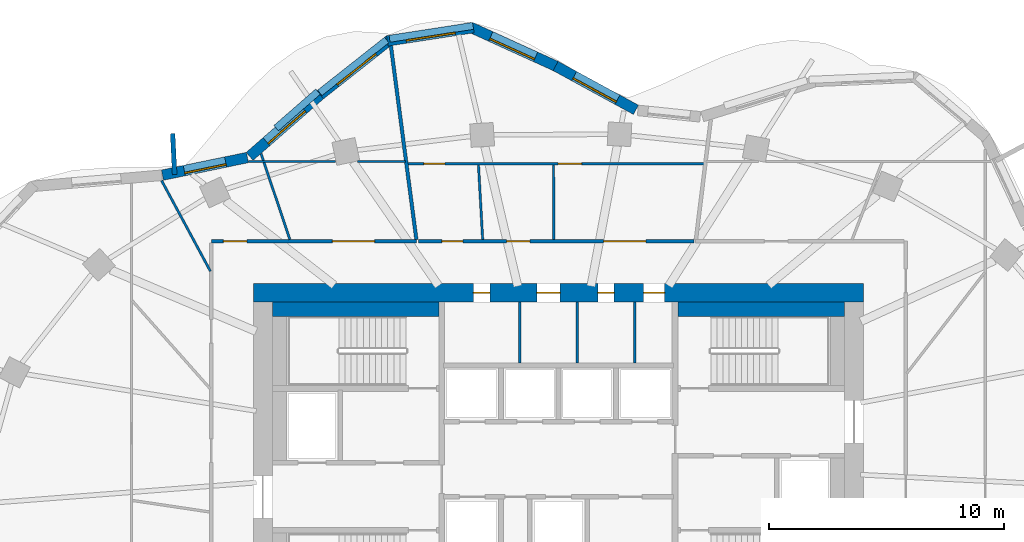
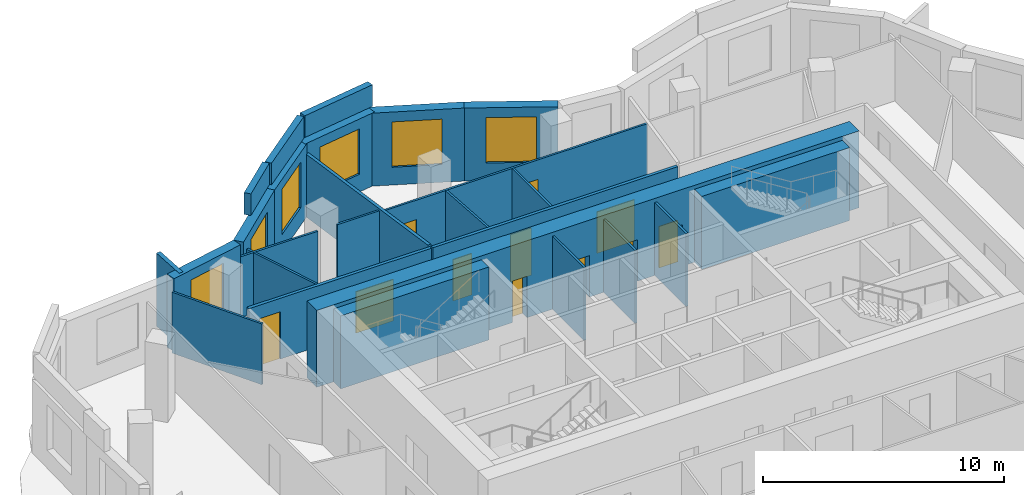
# One storey, part 7 of 9: 26 walls, 11 doors, 6 windows, 17 openings.
"""IFC4 building model written with IfcOpenShell, lengths in metres."""

from ifc_helpers import new_model, si_unit, direction, frame, frame_2d, origin, place, context, subcontext, project, spatial, rectangle, extrude, material, layer, layer_set, type_object, element, fill, save


model = new_model("IFC4")

# Units and contexts
model_context = context("Model", 3, precision=1e-05, world=origin(), true_north=direction((0.0, 1.0)))
body_context = subcontext(model_context, "Body", "Model", "MODEL_VIEW")
ifc_project = project(units=[si_unit("LENGTHUNIT", "METRE"), si_unit("AREAUNIT", "SQUARE_METRE"), si_unit("VOLUMEUNIT", "CUBIC_METRE"), si_unit("PLANEANGLEUNIT", "RADIAN"), si_unit("MASSUNIT", "GRAM", prefix="KILO")], contexts=[model_context])

# Site, building, storey
site_placement = place(None, origin())
site = spatial("IfcSite", under=ifc_project, at=site_placement, CompositionType="ELEMENT")
building_placement = place(site_placement, origin())
building = spatial("IfcBuilding", under=site, at=building_placement, Name="Rubra Terraces Tower", CompositionType="ELEMENT")
storey_placement = place(building_placement, frame((0.0, 0.0, 225.300048828125)))
storey = spatial("IfcBuildingStorey", under=building, at=storey_placement, Name="L55", CompositionType="ELEMENT", Elevation=225.300048828125)

# Wall, opening, window
ifc_material_1 = material(Name="Brick masonry red-brown", Category="masonry")
ifc_layer_1 = layer(ifc_material_1, 0.449951171875)
ifc_layer_set_1 = layer_set([ifc_layer_1], Name="Brick masonry red-brown")
wall_type_1 = type_object("IfcWallType", Name="Brick facade wall 450", PredefinedType="SOLIDWALL", material=ifc_layer_set_1)
wall_1_placement = place(storey_placement, frame((3.302001953125, 19.40087890625, 0.0), z_axis=(0.0, 0.0, 1.0), x_axis=(-0.878060540763, 0.47854956562, 0.0)))
wall_1 = element("IfcWall", 1, at=wall_1_placement, inside=storey, type_object=wall_type_1, Name="Facade wall L55 bay 10", PredefinedType="SOLIDWALL", context=body_context, shape_type="SweptSolid", body=[
    extrude(rectangle(XDim=3.9013671875, YDim=0.449951171875, at=frame_2d((1.95068359375, 0.0))), origin(), (0.0, 0.0, 1.0), 3.699951171875),
])
opening_1_placement = place(wall_1_placement, frame((0.900634765625, 0.0, 0.89990234375)))
opening_1 = element("IfcOpeningElement", 2, at=opening_1_placement, cuts=wall_1, Name="Opening W1B", PredefinedType="OPENING", context=body_context, shape_type="SweptSolid", body=[
    extrude(rectangle(XDim=2.10009765625, YDim=2.300048828125, at=frame_2d((1.050048828125, 1.14990234375))), frame((0.0, 0.23486328125, 0.0), z_axis=(0.0, -1.0, 0.0), x_axis=(1.0, 0.0, 0.0)), (0.0, 0.0, 1.0), 0.469970703125),
])
ifc_material_2 = material(Name="Clear glass in aluminium frame", Category="aluminium")
window_type_1 = type_object("IfcWindowType", Name="Fixed deep-set window tall storey 2100 x 2300", PartitioningType="SINGLE_PANEL", PredefinedType="WINDOW", material=ifc_material_2)
window_1_placement = place(opening_1_placement, origin())
window_1 = element("IfcWindow", 3, at=window_1_placement, inside=storey, type_object=window_type_1, Name="Window L55 bay 10", OverallHeight=2.300048828125, OverallWidth=2.10009765625, PartitioningType="SINGLE_PANEL", PredefinedType="WINDOW", context=body_context, shape_type="SweptSolid", body=[
    extrude(rectangle(XDim=2.10009765625, YDim=2.300048828125, at=frame_2d((1.050048828125, 1.14990234375))), frame((0.0, 0.135009765625, 0.0), z_axis=(0.0, -1.0, 0.0), x_axis=(1.0, 0.0, 0.0)), (0.0, 0.0, 1.0), 0.06005859375),
])
fill(opening_1, window_1)

wall_2_placement = place(storey_placement, frame((-0.109130859375, 21.260986328125, 0.0), z_axis=(0.0, 0.0, 1.0), x_axis=(-0.910040573706, 0.414519184367, 0.0)))
wall_2 = element("IfcWall", 4, at=wall_2_placement, inside=storey, type_object=wall_type_1, Name="Facade wall L55 bay 11", PredefinedType="SOLIDWALL", context=body_context, shape_type="SweptSolid", body=[
    extrude(rectangle(XDim=4.005615234375, YDim=0.449951171875, at=frame_2d((2.0029296875, 0.0))), origin(), (0.0, 0.0, 1.0), 3.699951171875),
])
opening_2_placement = place(wall_2_placement, frame((0.952880859375, 0.0, 0.89990234375)))
opening_2 = element("IfcOpeningElement", 5, at=opening_2_placement, cuts=wall_2, Name="Opening W1B", PredefinedType="OPENING", context=body_context, shape_type="SweptSolid", body=[
    extrude(rectangle(XDim=2.10009765625, YDim=2.300048828125, at=frame_2d((1.050048828125, 1.14990234375))), frame((0.0, 0.23486328125, 0.0), z_axis=(0.0, -1.0, 0.0), x_axis=(1.0, 0.0, 0.0)), (0.0, 0.0, 1.0), 0.469970703125),
])
window_2_placement = place(opening_2_placement, origin())
window_2 = element("IfcWindow", 6, at=window_2_placement, inside=storey, type_object=window_type_1, Name="Window L55 bay 11", OverallHeight=2.300048828125, OverallWidth=2.10009765625, PartitioningType="SINGLE_PANEL", PredefinedType="WINDOW", context=body_context, shape_type="SweptSolid", body=[
    extrude(rectangle(XDim=2.10009765625, YDim=2.300048828125, at=frame_2d((1.050048828125, 1.14990234375))), frame((0.0, 0.135009765625, 0.0), z_axis=(0.0, -1.0, 0.0), x_axis=(1.0, 0.0, 0.0)), (0.0, 0.0, 1.0), 0.06005859375),
])
fill(opening_2, window_2)

wall_3_placement = place(storey_placement, frame((-3.628662109375, 22.904541015625, 0.0), z_axis=(0.0, 0.0, 1.0), x_axis=(-0.988300084321, -0.152521943772, 0.0)))
wall_3 = element("IfcWall", 7, at=wall_3_placement, inside=storey, type_object=wall_type_1, Name="Facade wall L55 bay 12", PredefinedType="SOLIDWALL", context=body_context, shape_type="SweptSolid", body=[
    extrude(rectangle(XDim=3.71044921875, YDim=0.449951171875, at=frame_2d((1.855224609375, 0.0))), origin(), (0.0, 0.0, 1.0), 3.699951171875),
])
opening_3_placement = place(wall_3_placement, frame((0.80517578125, 0.0, 0.89990234375)))
opening_3 = element("IfcOpeningElement", 8, at=opening_3_placement, cuts=wall_3, Name="Opening W1B", PredefinedType="OPENING", context=body_context, shape_type="SweptSolid", body=[
    extrude(rectangle(XDim=2.10009765625, YDim=2.300048828125, at=frame_2d((1.050048828125, 1.14990234375))), frame((0.0, 0.23486328125, 0.0), z_axis=(0.0, -1.0, 0.0), x_axis=(1.0, 0.0, 0.0)), (0.0, 0.0, 1.0), 0.469970703125),
])
window_3_placement = place(opening_3_placement, origin())
window_3 = element("IfcWindow", 9, at=window_3_placement, inside=storey, type_object=window_type_1, Name="Window L55 bay 12", OverallHeight=2.300048828125, OverallWidth=2.10009765625, PartitioningType="SINGLE_PANEL", PredefinedType="WINDOW", context=body_context, shape_type="SweptSolid", body=[
    extrude(rectangle(XDim=2.10009765625, YDim=2.300048828125, at=frame_2d((1.050048828125, 1.14990234375))), frame((0.0, 0.135009765625, 0.0), z_axis=(0.0, -1.0, 0.0), x_axis=(1.0, 0.0, 0.0)), (0.0, 0.0, 1.0), 0.06005859375),
])
fill(opening_3, window_3)

wall_4_placement = place(storey_placement, frame((-7.192626953125, 22.3828125, 0.0), z_axis=(0.0, 0.0, 1.0), x_axis=(-0.784803291184, -0.619744942816, 0.0)))
wall_4 = element("IfcWall", 10, at=wall_4_placement, inside=storey, type_object=wall_type_1, Name="Facade wall L55 bay 13", PredefinedType="SOLIDWALL", context=body_context, shape_type="SweptSolid", body=[
    extrude(rectangle(XDim=3.774658203125, YDim=0.449951171875, at=frame_2d((1.88720703125, 0.0))), origin(), (0.0, 0.0, 1.0), 3.699951171875),
])
opening_4_placement = place(wall_4_placement, frame((0.83740234375, 0.0, 0.89990234375)))
opening_4 = element("IfcOpeningElement", 11, at=opening_4_placement, cuts=wall_4, Name="Opening W1B", PredefinedType="OPENING", context=body_context, shape_type="SweptSolid", body=[
    extrude(rectangle(XDim=2.10009765625, YDim=2.300048828125, at=frame_2d((1.050048828125, 1.14990234375))), frame((0.0, 0.23486328125, 0.0), z_axis=(0.0, -1.0, 0.0), x_axis=(1.0, 0.0, 0.0)), (0.0, 0.0, 1.0), 0.469970703125),
])
window_4_placement = place(opening_4_placement, origin())
window_4 = element("IfcWindow", 12, at=window_4_placement, inside=storey, type_object=window_type_1, Name="Window L55 bay 13", OverallHeight=2.300048828125, OverallWidth=2.10009765625, PartitioningType="SINGLE_PANEL", PredefinedType="WINDOW", context=body_context, shape_type="SweptSolid", body=[
    extrude(rectangle(XDim=2.10009765625, YDim=2.300048828125, at=frame_2d((1.050048828125, 1.14990234375))), frame((0.0, 0.135009765625, 0.0), z_axis=(0.0, -1.0, 0.0), x_axis=(1.0, 0.0, 0.0)), (0.0, 0.0, 1.0), 0.06005859375),
])
fill(opening_4, window_4)

wall_5_placement = place(storey_placement, frame((-10.146484375, 20.050537109375, 0.0), z_axis=(0.0, 0.0, 1.0), x_axis=(-0.753278140428, -0.657702093013, 0.0)))
wall_5 = element("IfcWall", 13, at=wall_5_placement, inside=storey, type_object=wall_type_1, Name="Facade wall L55 bay 14", PredefinedType="SOLIDWALL", context=body_context, shape_type="SweptSolid", body=[
    extrude(rectangle(XDim=4.0078125, YDim=0.449951171875, at=frame_2d((2.00390625, 0.0))), origin(), (0.0, 0.0, 1.0), 3.699951171875),
])
opening_5_placement = place(wall_5_placement, frame((0.9541015625, 0.0, 0.89990234375)))
opening_5 = element("IfcOpeningElement", 14, at=opening_5_placement, cuts=wall_5, Name="Opening W1B", PredefinedType="OPENING", context=body_context, shape_type="SweptSolid", body=[
    extrude(rectangle(XDim=2.10009765625, YDim=2.300048828125, at=frame_2d((1.050048828125, 1.14990234375))), frame((0.0, 0.23486328125, 0.0), z_axis=(0.0, -1.0, 0.0), x_axis=(1.0, 0.0, 0.0)), (0.0, 0.0, 1.0), 0.469970703125),
])
window_5_placement = place(opening_5_placement, origin())
window_5 = element("IfcWindow", 15, at=window_5_placement, inside=storey, type_object=window_type_1, Name="Window L55 bay 14", OverallHeight=2.300048828125, OverallWidth=2.10009765625, PartitioningType="SINGLE_PANEL", PredefinedType="WINDOW", context=body_context, shape_type="SweptSolid", body=[
    extrude(rectangle(XDim=2.10009765625, YDim=2.300048828125, at=frame_2d((1.050048828125, 1.14990234375))), frame((0.0, 0.135009765625, 0.0), z_axis=(0.0, -1.0, 0.0), x_axis=(1.0, 0.0, 0.0)), (0.0, 0.0, 1.0), 0.06005859375),
])
fill(opening_5, window_5)

wall_6_placement = place(storey_placement, frame((-13.2578125, 17.3671875, 0.0), z_axis=(0.0, 0.0, 1.0), x_axis=(-0.97914968674, -0.203140077183, 0.0)))
wall_6 = element("IfcWall", 16, at=wall_6_placement, inside=storey, type_object=wall_type_1, Name="Facade wall L55 bay 15", PredefinedType="SOLIDWALL", context=body_context, shape_type="SweptSolid", body=[
    extrude(rectangle(XDim=3.700439453125, YDim=0.449951171875, at=frame_2d((1.85009765625, 0.0))), origin(), (0.0, 0.0, 1.0), 3.699951171875),
])
opening_6_placement = place(wall_6_placement, frame((0.9501953125, 0.0, 0.89990234375)))
opening_6 = element("IfcOpeningElement", 17, at=opening_6_placement, cuts=wall_6, Name="Opening W6B", PredefinedType="OPENING", context=body_context, shape_type="SweptSolid", body=[
    extrude(rectangle(XDim=1.800048828125, YDim=2.300048828125, at=frame_2d((0.89990234375, 1.14990234375))), frame((0.0, 0.23486328125, 0.0), z_axis=(0.0, -1.0, 0.0), x_axis=(1.0, 0.0, 0.0)), (0.0, 0.0, 1.0), 0.469970703125),
])
window_type_2 = type_object("IfcWindowType", Name="Fixed deep-set window at wind fin tall storey 1800 x 2300", PartitioningType="SINGLE_PANEL", PredefinedType="WINDOW", material=ifc_material_2)
window_6_placement = place(opening_6_placement, origin())
window_6 = element("IfcWindow", 18, at=window_6_placement, inside=storey, type_object=window_type_2, Name="Window L55 bay 15", OverallHeight=2.300048828125, OverallWidth=1.800048828125, PartitioningType="SINGLE_PANEL", PredefinedType="WINDOW", context=body_context, shape_type="SweptSolid", body=[
    extrude(rectangle(XDim=1.800048828125, YDim=2.300048828125, at=frame_2d((0.89990234375, 1.14990234375))), frame((0.0, 0.135009765625, 0.0), z_axis=(0.0, -1.0, 0.0), x_axis=(1.0, 0.0, 0.0)), (0.0, 0.0, 1.0), 0.06005859375),
])
fill(opening_6, window_6)

# Walls
ifc_layer_2 = layer(ifc_material_1, 0.300048828125)
ifc_layer_set_2 = layer_set([ifc_layer_2], Name="Brick masonry red-brown")
wall_type_2 = type_object("IfcWallType", Name="Brick parapet 300", PredefinedType="PARAPET", material=ifc_layer_set_2)
wall_7_placement = place(storey_placement, frame((-3.64013671875, 22.978759765625, 3.89990234375), z_axis=(0.0, 0.0, 1.0), x_axis=(-0.988299486994, -0.152525814235, 0.0)))
element("IfcWall", 19, at=wall_7_placement, inside=storey, type_object=wall_type_2, Name="Parapet L55 bay 12", PredefinedType="PARAPET", context=body_context, shape_type="SweptSolid", body=[
    extrude(rectangle(XDim=3.6015625, YDim=0.300048828125, at=frame_2d((1.80078125, 0.0))), origin(), (0.0, 0.0, 1.0), 1.10009765625),
])
wall_8_placement = place(storey_placement, frame((-7.322509765625, 22.375732421875, 3.89990234375), z_axis=(0.0, 0.0, 1.0), x_axis=(-0.784819122577, -0.61972489448, 0.0)))
element("IfcWall", 20, at=wall_8_placement, inside=storey, type_object=wall_type_2, Name="Parapet L55 bay 13", PredefinedType="PARAPET", context=body_context, shape_type="SweptSolid", body=[
    extrude(rectangle(XDim=3.63330078125, YDim=0.300048828125, at=frame_2d((1.816650390625, 0.0))), origin(), (0.0, 0.0, 1.0), 1.10009765625),
])
wall_9_placement = place(storey_placement, frame((-10.252197265625, 20.17431640625, 3.89990234375), z_axis=(0.0, 0.0, 1.0), x_axis=(-0.753260147018, -0.657722700622, 0.0)))
element("IfcWall", 21, at=wall_9_placement, inside=storey, type_object=wall_type_2, Name="Parapet L55 bay 14", PredefinedType="PARAPET", context=body_context, shape_type="SweptSolid", body=[
    extrude(rectangle(XDim=2.366455078125, YDim=0.300048828125, at=frame_2d((1.18310546875, 0.0))), origin(), (0.0, 0.0, 1.0), 1.10009765625),
])
ifc_layer_3 = layer(ifc_material_1, 0.199951171875)
ifc_layer_set_3 = layer_set([ifc_layer_3], Name="Brick masonry red-brown")
wall_type_3 = type_object("IfcWallType", Name="Brick wind fin 200", PredefinedType="SOLIDWALL", material=ifc_layer_set_3)
wall_10_placement = place(storey_placement, frame((-16.361083984375, 16.635986328125, 0.0), z_axis=(0.0, 0.0, 1.0), x_axis=(-0.048552811097, 0.998820616795, 0.0)))
element("IfcWall", 22, at=wall_10_placement, inside=storey, type_object=wall_type_3, Name="Wind fin L55 9", PredefinedType="SOLIDWALL", context=body_context, shape_type="SweptSolid", body=[
    extrude(rectangle(XDim=1.749755859375, YDim=0.199951171875, at=frame_2d((0.875, 0.0))), origin(), (0.0, 0.0, 1.0), 3.699951171875),
])

# Wall, openings, doors
ifc_material_3 = material(Name="Concrete C50", Category="concrete")
ifc_layer_4 = layer(ifc_material_3, 0.800048828125)
ifc_layer_set_4 = layer_set([ifc_layer_4], Name="Concrete C50")
wall_type_4 = type_object("IfcWallType", Name="CORE WALL 800 C50", PredefinedType="SHEAR", material=ifc_layer_set_4)
wall_11_placement = place(storey_placement, frame((-13.0, 11.60009765625, 0.0), z_axis=(0.0, 0.0, 1.0), x_axis=(1.0, 0.0, 0.0)))
wall_11 = element("IfcWall", 23, at=wall_11_placement, inside=storey, type_object=wall_type_4, Name="CORE WALL N L55", PredefinedType="SHEAR", context=body_context, shape_type="SweptSolid", body=[
    extrude(rectangle(XDim=26.0, YDim=0.800048828125, at=frame_2d((13.0, 0.0))), origin(), (0.0, 0.0, 1.0), 3.89990234375),
])
opening_7_placement = place(wall_11_placement, frame((9.375, 0.0, 0.0)))
opening_7 = element("IfcOpeningElement", 24, at=opening_7_placement, cuts=wall_11, Name="Opening L55.C25", PredefinedType="OPENING", context=body_context, shape_type="SweptSolid", body=[
    extrude(rectangle(XDim=0.699951171875, YDim=2.10009765625, at=frame_2d((0.35009765625, 1.050048828125))), frame((0.0, 0.409912109375, 0.0), z_axis=(0.0, -1.0, 0.0), x_axis=(1.0, 0.0, 0.0)), (0.0, 0.0, 1.0), 0.820068359375),
])
opening_8_placement = place(wall_11_placement, frame((12.074951171875, 0.0, 0.0)))
opening_8 = element("IfcOpeningElement", 25, at=opening_8_placement, cuts=wall_11, Name="Opening L55.C26", PredefinedType="OPENING", context=body_context, shape_type="SweptSolid", body=[
    extrude(rectangle(XDim=1.0, YDim=2.10009765625, at=frame_2d((0.5, 1.050048828125))), frame((0.0, 0.409912109375, 0.0), z_axis=(0.0, -1.0, 0.0), x_axis=(1.0, 0.0, 0.0)), (0.0, 0.0, 1.0), 0.820068359375),
])
opening_9_placement = place(wall_11_placement, frame((14.675048828125, 0.0, 0.0)))
opening_9 = element("IfcOpeningElement", 26, at=opening_9_placement, cuts=wall_11, Name="Opening L55.C27", PredefinedType="OPENING", context=body_context, shape_type="SweptSolid", body=[
    extrude(rectangle(XDim=0.699951171875, YDim=2.10009765625, at=frame_2d((0.35009765625, 1.050048828125))), frame((0.0, 0.409912109375, 0.0), z_axis=(0.0, -1.0, 0.0), x_axis=(1.0, 0.0, 0.0)), (0.0, 0.0, 1.0), 0.820068359375),
])
opening_10_placement = place(wall_11_placement, frame((16.625, 0.0, 0.0)))
opening_10 = element("IfcOpeningElement", 27, at=opening_10_placement, cuts=wall_11, Name="Opening L55.C28", PredefinedType="OPENING", context=body_context, shape_type="SweptSolid", body=[
    extrude(rectangle(XDim=0.89990234375, YDim=2.10009765625, at=frame_2d((0.449951171875, 1.050048828125))), frame((0.0, 0.409912109375, 0.0), z_axis=(0.0, -1.0, 0.0), x_axis=(1.0, 0.0, 0.0)), (0.0, 0.0, 1.0), 0.820068359375),
])
ifc_material_4 = material(Name="Painted steel", Category="steel")
door_type_1 = type_object("IfcDoorType", Name="Fire door 1000x2100 single", OperationType="NOTDEFINED", PredefinedType="DOOR", material=ifc_material_4)
door_1_placement = place(opening_8_placement, origin())
door_1 = element("IfcDoor", 28, at=door_1_placement, inside=storey, type_object=door_type_1, Name="General store door", OperationType="SINGLE_SWING_RIGHT", OverallHeight=2.10009765625, OverallWidth=1.0, PredefinedType="DOOR", context=body_context, shape_type="SweptSolid", body=[
    extrude(rectangle(XDim=1.0, YDim=2.10009765625, at=frame_2d((0.5, 1.050048828125))), frame((0.0, 0.02490234375, 0.0), z_axis=(0.0, -1.0, 0.0), x_axis=(1.0, 0.0, 0.0)), (0.0, 0.0, 1.0), 0.050048828125),
])
fill(opening_8, door_1)
door_type_2 = type_object("IfcDoorType", Name="Fire door 900x2100 single", OperationType="NOTDEFINED", PredefinedType="DOOR", material=ifc_material_4)
door_2_placement = place(opening_10_placement, origin())
door_2 = element("IfcDoor", 29, at=door_2_placement, inside=storey, type_object=door_type_2, Name="Cleaner's store door", OperationType="SINGLE_SWING_RIGHT", OverallHeight=2.10009765625, OverallWidth=0.89990234375, PredefinedType="DOOR", context=body_context, shape_type="SweptSolid", body=[
    extrude(rectangle(XDim=0.89990234375, YDim=2.10009765625, at=frame_2d((0.449951171875, 1.050048828125))), frame((0.0, 0.02490234375, 0.0), z_axis=(0.0, -1.0, 0.0), x_axis=(1.0, 0.0, 0.0)), (0.0, 0.0, 1.0), 0.050048828125),
])
fill(opening_10, door_2)
door_type_3 = type_object("IfcDoorType", Name="Riser access door 700x2100 single", OperationType="NOTDEFINED", PredefinedType="DOOR", material=ifc_material_4)
door_3_placement = place(opening_7_placement, origin())
door_3 = element("IfcDoor", 30, at=door_3_placement, inside=storey, type_object=door_type_3, Name="Telecoms room door", OperationType="SINGLE_SWING_LEFT", OverallHeight=2.10009765625, OverallWidth=0.699951171875, PredefinedType="DOOR", context=body_context, shape_type="SweptSolid", body=[
    extrude(rectangle(XDim=0.699951171875, YDim=2.10009765625, at=frame_2d((0.35009765625, 1.050048828125))), frame((0.0, 0.02490234375, 0.0), z_axis=(0.0, -1.0, 0.0), x_axis=(1.0, 0.0, 0.0)), (0.0, 0.0, 1.0), 0.050048828125),
])
fill(opening_7, door_3)
door_4_placement = place(opening_9_placement, origin())
door_4 = element("IfcDoor", 31, at=door_4_placement, inside=storey, type_object=door_type_3, Name="Electrical riser room door", OperationType="SINGLE_SWING_LEFT", OverallHeight=2.10009765625, OverallWidth=0.699951171875, PredefinedType="DOOR", context=body_context, shape_type="SweptSolid", body=[
    extrude(rectangle(XDim=0.699951171875, YDim=2.10009765625, at=frame_2d((0.35009765625, 1.050048828125))), frame((0.0, 0.02490234375, 0.0), z_axis=(0.0, -1.0, 0.0), x_axis=(1.0, 0.0, 0.0)), (0.0, 0.0, 1.0), 0.050048828125),
])
fill(opening_9, door_4)

ifc_material_5 = material(Name="Plasterboard on steel stud, mineral wool infill", Category="steel")
ifc_layer_5 = layer(ifc_material_5, 0.14990234375)
ifc_layer_set_5 = layer_set([ifc_layer_5], Name="Plasterboard on steel stud, mineral wool infill")
wall_type_5 = type_object("IfcWallType", Name="CORRIDOR PARTITION 150", PredefinedType="PARTITIONING", material=ifc_layer_set_5)
wall_12_placement = place(storey_placement, frame((-6.047607421875, 13.800048828125, 0.0), z_axis=(0.0, 0.0, 1.0), x_axis=(-1.0, 0.0, 0.0)))
wall_12 = element("IfcWall", 32, at=wall_12_placement, inside=storey, type_object=wall_type_5, Name="PARTITION", PredefinedType="PARTITIONING", context=body_context, shape_type="SweptSolid", body=[
    extrude(rectangle(XDim=8.75244140625, YDim=0.14990234375, at=frame_2d((4.376220703125, 0.0))), origin(), (0.0, 0.0, 1.0), 3.083984375),
])
opening_11_placement = place(wall_12_placement, frame((1.7880859375, 0.0, 0.0)))
opening_11 = element("IfcOpeningElement", 33, at=opening_11_placement, cuts=wall_12, Name="Opening 55-101", PredefinedType="OPENING", context=body_context, shape_type="SweptSolid", body=[
    extrude(rectangle(XDim=1.800048828125, YDim=2.10009765625, at=frame_2d((0.89990234375, 1.050048828125))), frame((0.0, 0.0849609375, 0.0), z_axis=(0.0, -1.0, 0.0), x_axis=(1.0, 0.0, 0.0)), (0.0, 0.0, 1.0), 0.169921875),
])
opening_12_placement = place(wall_12_placement, frame((7.239013671875, 0.0, 0.0)))
opening_12 = element("IfcOpeningElement", 34, at=opening_12_placement, cuts=wall_12, Name="Opening 55-102", PredefinedType="OPENING", context=body_context, shape_type="SweptSolid", body=[
    extrude(rectangle(XDim=1.0, YDim=2.39990234375, at=frame_2d((0.5, 1.199951171875))), frame((0.0, 0.0849609375, 0.0), z_axis=(0.0, -1.0, 0.0), x_axis=(1.0, 0.0, 0.0)), (0.0, 0.0, 1.0), 0.169921875),
])
ifc_material_6 = material(Name="Glazed aluminium meeting door leaf", Category="aluminium")
door_type_4 = type_object("IfcDoorType", Name="MEETING ROOM GLAZED DOOR 1000 X 2400", OperationType="SINGLE_SWING_LEFT", PredefinedType="DOOR", material=ifc_material_6)
door_5_placement = place(opening_12_placement, origin())
door_5 = element("IfcDoor", 35, at=door_5_placement, inside=storey, type_object=door_type_4, Name="DOOR 55-102", OperationType="SINGLE_SWING_RIGHT", OverallHeight=2.39990234375, OverallWidth=1.0, PredefinedType="DOOR", context=body_context, shape_type="SweptSolid", body=[
    extrude(rectangle(XDim=1.0, YDim=2.39990234375, at=frame_2d((0.5, 1.199951171875))), frame((0.0, 0.02490234375, 0.0), z_axis=(0.0, -1.0, 0.0), x_axis=(1.0, 0.0, 0.0)), (0.0, 0.0, 1.0), 0.050048828125),
])
fill(opening_12, door_5)
ifc_material_7 = material(Name="Painted timber door leaf, double", Category="wood")
door_type_5 = type_object("IfcDoorType", Name="ROOM DOUBLE DOOR 1800 X 2100", OperationType="DOUBLE_DOOR_SINGLE_SWING", PredefinedType="DOOR", material=ifc_material_7)
door_6_placement = place(opening_11_placement, origin())
door_6 = element("IfcDoor", 36, at=door_6_placement, inside=storey, type_object=door_type_5, Name="DOOR 55-101", OperationType="DOUBLE_DOOR_SINGLE_SWING", OverallHeight=2.10009765625, OverallWidth=1.800048828125, PredefinedType="DOOR", context=body_context, shape_type="SweptSolid", body=[
    extrude(rectangle(XDim=1.800048828125, YDim=2.10009765625, at=frame_2d((0.89990234375, 1.050048828125))), frame((0.0, 0.02490234375, 0.0), z_axis=(0.0, -1.0, 0.0), x_axis=(1.0, 0.0, 0.0)), (0.0, 0.0, 1.0), 0.050048828125),
])
fill(opening_11, door_6)

wall_13_placement = place(storey_placement, frame((5.77685546875, 13.800048828125, 0.0), z_axis=(0.0, 0.0, 1.0), x_axis=(-1.0, 0.0, 0.0)))
wall_13 = element("IfcWall", 37, at=wall_13_placement, inside=storey, type_object=wall_type_5, Name="PARTITION", PredefinedType="PARTITIONING", context=body_context, shape_type="SweptSolid", body=[
    extrude(rectangle(XDim=11.749267578125, YDim=0.14990234375, at=frame_2d((5.87451171875, 0.0))), origin(), (0.0, 0.0, 1.0), 3.083984375),
])
opening_13_placement = place(wall_13_placement, frame((2.052001953125, 0.0, 0.0)))
opening_13 = element("IfcOpeningElement", 38, at=opening_13_placement, cuts=wall_13, Name="Opening 55-118", PredefinedType="OPENING", context=body_context, shape_type="SweptSolid", body=[
    extrude(rectangle(XDim=1.800048828125, YDim=2.10009765625, at=frame_2d((0.89990234375, 1.050048828125))), frame((0.0, 0.0849609375, 0.0), z_axis=(0.0, -1.0, 0.0), x_axis=(1.0, 0.0, 0.0)), (0.0, 0.0, 1.0), 0.169921875),
])
opening_14_placement = place(wall_13_placement, frame((6.991943359375, 0.0, 0.0)))
opening_14 = element("IfcOpeningElement", 39, at=opening_14_placement, cuts=wall_13, Name="Opening 55-119", PredefinedType="OPENING", context=body_context, shape_type="SweptSolid", body=[
    extrude(rectangle(XDim=1.0, YDim=2.39990234375, at=frame_2d((0.5, 1.199951171875))), frame((0.0, 0.0849609375, 0.0), z_axis=(0.0, -1.0, 0.0), x_axis=(1.0, 0.0, 0.0)), (0.0, 0.0, 1.0), 0.169921875),
])
opening_15_placement = place(wall_13_placement, frame((9.85009765625, 0.0, 0.0)))
opening_15 = element("IfcOpeningElement", 40, at=opening_15_placement, cuts=wall_13, Name="Opening 55-127", PredefinedType="OPENING", context=body_context, shape_type="SweptSolid", body=[
    extrude(rectangle(XDim=0.89990234375, YDim=2.10009765625, at=frame_2d((0.449951171875, 1.050048828125))), frame((0.0, 0.0849609375, 0.0), z_axis=(0.0, -1.0, 0.0), x_axis=(1.0, 0.0, 0.0)), (0.0, 0.0, 1.0), 0.169921875),
])
ifc_material_8 = material(Name="Painted timber door leaf", Category="wood")
door_type_6 = type_object("IfcDoorType", Name="BATHROOM DOOR 900 X 2100", OperationType="SINGLE_SWING_LEFT", PredefinedType="DOOR", material=ifc_material_8)
door_7_placement = place(opening_15_placement, origin())
door_7 = element("IfcDoor", 41, at=door_7_placement, inside=storey, type_object=door_type_6, Name="DOOR 55-127", OperationType="SINGLE_SWING_RIGHT", OverallHeight=2.10009765625, OverallWidth=0.89990234375, PredefinedType="DOOR", context=body_context, shape_type="SweptSolid", body=[
    extrude(rectangle(XDim=0.89990234375, YDim=2.10009765625, at=frame_2d((0.449951171875, 1.050048828125))), frame((0.0, 0.02490234375, 0.0), z_axis=(0.0, -1.0, 0.0), x_axis=(1.0, 0.0, 0.0)), (0.0, 0.0, 1.0), 0.050048828125),
])
fill(opening_15, door_7)
door_8_placement = place(opening_14_placement, origin())
door_8 = element("IfcDoor", 42, at=door_8_placement, inside=storey, type_object=door_type_4, Name="DOOR 55-119", OperationType="SINGLE_SWING_RIGHT", OverallHeight=2.39990234375, OverallWidth=1.0, PredefinedType="DOOR", context=body_context, shape_type="SweptSolid", body=[
    extrude(rectangle(XDim=1.0, YDim=2.39990234375, at=frame_2d((0.5, 1.199951171875))), frame((0.0, 0.02490234375, 0.0), z_axis=(0.0, -1.0, 0.0), x_axis=(1.0, 0.0, 0.0)), (0.0, 0.0, 1.0), 0.050048828125),
])
fill(opening_14, door_8)
door_9_placement = place(opening_13_placement, origin())
door_9 = element("IfcDoor", 43, at=door_9_placement, inside=storey, type_object=door_type_5, Name="DOOR 55-118", OperationType="DOUBLE_DOOR_SINGLE_SWING", OverallHeight=2.10009765625, OverallWidth=1.800048828125, PredefinedType="DOOR", context=body_context, shape_type="SweptSolid", body=[
    extrude(rectangle(XDim=1.800048828125, YDim=2.10009765625, at=frame_2d((0.89990234375, 1.050048828125))), frame((0.0, 0.02490234375, 0.0), z_axis=(0.0, -1.0, 0.0), x_axis=(1.0, 0.0, 0.0)), (0.0, 0.0, 1.0), 0.050048828125),
])
fill(opening_13, door_9)

# Walls
ifc_material_9 = material(Name="Concrete C40", Category="concrete")
ifc_layer_6 = layer(ifc_material_9, 0.60009765625)
ifc_layer_set_6 = layer_set([ifc_layer_6], Name="Concrete C40")
wall_type_6 = type_object("IfcWallType", Name="Core lining wall 600 concrete", PredefinedType="SOLIDWALL", material=ifc_layer_set_6)
for number, where, z_axis, x_axis, name in (
    (44, (-12.199951171875, 10.89990234375, 0.0), (0.0, 0.0, 1.0), (1.0, 0.0, 0.0), "CORE LINING WALL L55"),
    (45, (12.199951171875, 10.89990234375, 0.0), (0.0, 0.0, 1.0), (-1.0, 0.0, 0.0), "CORE LINING WALL L55"),
):
    element("IfcWall", number, at=place(storey_placement, frame(where, z_axis=z_axis, x_axis=x_axis)), inside=storey, type_object=wall_type_6, Name=name, PredefinedType="SOLIDWALL", context=body_context, shape_type="SweptSolid", body=[
        extrude(rectangle(XDim=7.099853515625, YDim=0.60009765625, at=frame_2d((3.5498046875, 0.0))), origin(), (0.0, 0.0, 1.0), 3.699951171875),
    ])
ifc_material_10 = material(Name="Plasterboard on steel stud", Category="steel")
ifc_layer_7 = layer(ifc_material_10, 0.10009765625)
ifc_layer_set_7 = layer_set([ifc_layer_7], Name="Plasterboard on steel stud")
wall_type_7 = type_object("IfcWallType", Name="ROOM PARTITION 100", PredefinedType="PARTITIONING", material=ifc_layer_set_7)
wall_14_placement = place(storey_placement, frame((-13.213134765625, 17.199951171875, 0.0), z_axis=(0.0, 0.0, 1.0), x_axis=(1.0, 0.0, 0.0)))
element("IfcWall", 46, at=wall_14_placement, inside=storey, type_object=wall_type_7, Name="PARTITION", PredefinedType="PARTITIONING", context=body_context, shape_type="SweptSolid", body=[
    extrude(rectangle(XDim=3.709716796875, YDim=0.10009765625, at=frame_2d((1.85498046875, 0.0))), origin(), (0.0, 0.0, 1.0), 3.083984375),
])
wall_15_placement = place(storey_placement, frame((-8.56591796875, 17.199951171875, 0.0), z_axis=(0.0, 0.0, 1.0), x_axis=(1.0, 0.0, 0.0)))
element("IfcWall", 47, at=wall_15_placement, inside=storey, type_object=wall_type_7, Name="PARTITION", PredefinedType="PARTITIONING", context=body_context, shape_type="SweptSolid", body=[
    extrude(rectangle(XDim=2.05078125, YDim=0.10009765625, at=frame_2d((1.025390625, 0.0))), origin(), (0.0, 0.0, 1.0), 3.083984375),
])
wall_16_placement = place(storey_placement, frame((-11.4482421875, 13.87109375, 0.0), z_axis=(0.0, 0.0, 1.0), x_axis=(-0.319016686957, 0.94774909836, 0.0)))
element("IfcWall", 48, at=wall_16_placement, inside=storey, type_object=wall_type_7, Name="PARTITION", PredefinedType="PARTITIONING", context=body_context, shape_type="SweptSolid", body=[
    extrude(rectangle(XDim=3.858642578125, YDim=0.10009765625, at=frame_2d((1.92919921875, 0.0))), origin(), (0.0, 0.0, 1.0), 3.083984375),
])
wall_17_placement = place(storey_placement, frame((-14.835693359375, 12.516845703125, 0.0), z_axis=(0.0, 0.0, 1.0), x_axis=(-0.474069987859, 0.880487164365, 0.0)))
element("IfcWall", 49, at=wall_17_placement, inside=storey, type_object=wall_type_7, Name="PARTITION", PredefinedType="PARTITIONING", context=body_context, shape_type="SweptSolid", body=[
    extrude(rectangle(XDim=4.391845703125, YDim=0.10009765625, at=frame_2d((2.19580078125, 0.0))), origin(), (0.0, 0.0, 1.0), 3.083984375),
])

# Wall, openings, doors
wall_18_placement = place(storey_placement, frame((-6.461669921875, 17.10009765625, 0.0), z_axis=(0.0, 0.0, 1.0), x_axis=(1.0, 0.0, 0.0)))
wall_18 = element("IfcWall", 50, at=wall_18_placement, inside=storey, type_object=wall_type_7, Name="PARTITION", PredefinedType="PARTITIONING", context=body_context, shape_type="SweptSolid", body=[
    extrude(rectangle(XDim=12.70166015625, YDim=0.10009765625, at=frame_2d((6.350830078125, 0.0))), origin(), (0.0, 0.0, 1.0), 3.083984375),
])
opening_16_placement = place(wall_18_placement, frame((0.718994140625, 0.0, 0.0)))
opening_16 = element("IfcOpeningElement", 51, at=opening_16_placement, cuts=wall_18, Name="Opening 55-120", PredefinedType="OPENING", context=body_context, shape_type="SweptSolid", body=[
    extrude(rectangle(XDim=0.89990234375, YDim=2.10009765625, at=frame_2d((0.449951171875, 1.050048828125))), frame((0.0, 0.06005859375, 0.0), z_axis=(0.0, -1.0, 0.0), x_axis=(1.0, 0.0, 0.0)), (0.0, 0.0, 1.0), 0.1201171875),
])
opening_17_placement = place(wall_18_placement, frame((6.449951171875, 0.0, 0.0)))
opening_17 = element("IfcOpeningElement", 52, at=opening_17_placement, cuts=wall_18, Name="Opening 55-126", PredefinedType="OPENING", context=body_context, shape_type="SweptSolid", body=[
    extrude(rectangle(XDim=1.0, YDim=2.10009765625, at=frame_2d((0.5, 1.050048828125))), frame((0.0, 0.06005859375, 0.0), z_axis=(0.0, -1.0, 0.0), x_axis=(1.0, 0.0, 0.0)), (0.0, 0.0, 1.0), 0.1201171875),
])
door_type_7 = type_object("IfcDoorType", Name="ROOM DOOR 1000 X 2100", OperationType="SINGLE_SWING_LEFT", PredefinedType="DOOR", material=ifc_material_8)
door_10_placement = place(opening_17_placement, origin())
door_10 = element("IfcDoor", 53, at=door_10_placement, inside=storey, type_object=door_type_7, Name="DOOR 55-126", OperationType="SINGLE_SWING_LEFT", OverallHeight=2.10009765625, OverallWidth=1.0, PredefinedType="DOOR", context=body_context, shape_type="SweptSolid", body=[
    extrude(rectangle(XDim=1.0, YDim=2.10009765625, at=frame_2d((0.5, 1.050048828125))), frame((0.0, 0.02490234375, 0.0), z_axis=(0.0, -1.0, 0.0), x_axis=(1.0, 0.0, 0.0)), (0.0, 0.0, 1.0), 0.050048828125),
])
fill(opening_17, door_10)
door_type_8 = type_object("IfcDoorType", Name="ROOM DOOR 900 X 2100", OperationType="SINGLE_SWING_LEFT", PredefinedType="DOOR", material=ifc_material_8)
door_11_placement = place(opening_16_placement, origin())
door_11 = element("IfcDoor", 54, at=door_11_placement, inside=storey, type_object=door_type_8, Name="DOOR 55-120", OperationType="SINGLE_SWING_LEFT", OverallHeight=2.10009765625, OverallWidth=0.89990234375, PredefinedType="DOOR", context=body_context, shape_type="SweptSolid", body=[
    extrude(rectangle(XDim=0.89990234375, YDim=2.10009765625, at=frame_2d((0.449951171875, 1.050048828125))), frame((0.0, 0.02490234375, 0.0), z_axis=(0.0, -1.0, 0.0), x_axis=(1.0, 0.0, 0.0)), (0.0, 0.0, 1.0), 0.050048828125),
])
fill(opening_16, door_11)

# Walls
wall_19_placement = place(storey_placement, frame((-0.202392578125, 13.875, 0.0), z_axis=(0.0, 0.0, 1.0), x_axis=(-0.002306798937, 0.999997339336, 0.0)))
element("IfcWall", 55, at=wall_19_placement, inside=storey, type_object=wall_type_7, Name="PARTITION", PredefinedType="PARTITIONING", context=body_context, shape_type="SweptSolid", body=[
    extrude(rectangle(XDim=3.175048828125, YDim=0.10009765625, at=frame_2d((1.58740234375, 0.0))), origin(), (0.0, 0.0, 1.0), 3.083984375),
])
wall_20_placement = place(storey_placement, frame((-3.231201171875, 13.875, 0.0), z_axis=(0.0, 0.0, 1.0), x_axis=(-0.056350151772, 0.998411067845, 0.0)))
element("IfcWall", 56, at=wall_20_placement, inside=storey, type_object=wall_type_7, Name="PARTITION", PredefinedType="PARTITIONING", context=body_context, shape_type="SweptSolid", body=[
    extrude(rectangle(XDim=3.18017578125, YDim=0.10009765625, at=frame_2d((1.590087890625, 0.0))), origin(), (0.0, 0.0, 1.0), 3.083984375),
])
ifc_layer_8 = layer(ifc_material_10, 0.14990234375)
ifc_layer_set_8 = layer_set([ifc_layer_8], Name="Plasterboard on steel stud")
wall_type_8 = type_object("IfcWallType", Name="ROOM PARTITION 150", PredefinedType="PARTITIONING", material=ifc_layer_set_8)
wall_21_placement = place(storey_placement, frame((-7.1435546875, 22.129638671875, 0.0), z_axis=(0.0, 0.0, 1.0), x_axis=(0.130452237095, -0.991454594945, 0.0)))
element("IfcWall", 57, at=wall_21_placement, inside=storey, type_object=wall_type_8, Name="PARTITION", PredefinedType="PARTITIONING", context=body_context, shape_type="SweptSolid", body=[
    extrude(rectangle(XDim=8.326171875, YDim=0.14990234375, at=frame_2d((4.1630859375, 0.0))), origin(), (0.0, 0.0, 1.0), 3.183837890625),
])
ifc_material_11 = material(Name="Blockwork", Category="masonry")
ifc_layer_9 = layer(ifc_material_11, 0.10009765625)
ifc_layer_set_9 = layer_set([ifc_layer_9], Name="Blockwork")
wall_type_9 = type_object("IfcWallType", Name="Service partition 100 blockwork", PredefinedType="PARTITIONING", material=ifc_layer_set_9)
for number, where, z_axis, x_axis, name in (
    (58, (-1.64990234375, 8.60009765625, 0.0), (0.0, 0.0, 1.0), (0.0, 1.0, 0.0), "SERVICE ROOM PARTITION L55"),
    (59, (0.800048828125, 8.60009765625, 0.0), (0.0, 0.0, 1.0), (0.0, 1.0, 0.0), "SERVICE ROOM PARTITION L55"),
    (60, (3.25, 8.60009765625, 0.0), (0.0, 0.0, 1.0), (0.0, 1.0, 0.0), "SERVICE ROOM PARTITION L55"),
):
    element("IfcWall", number, at=place(storey_placement, frame(where, z_axis=z_axis, x_axis=x_axis)), inside=storey, type_object=wall_type_9, Name=name, PredefinedType="PARTITIONING", context=body_context, shape_type="SweptSolid", body=[
        extrude(rectangle(XDim=2.599853515625, YDim=0.10009765625, at=frame_2d((1.2998046875, 0.0))), origin(), (0.0, 0.0, 1.0), 3.699951171875),
    ])

save(model, "model.ifc")
